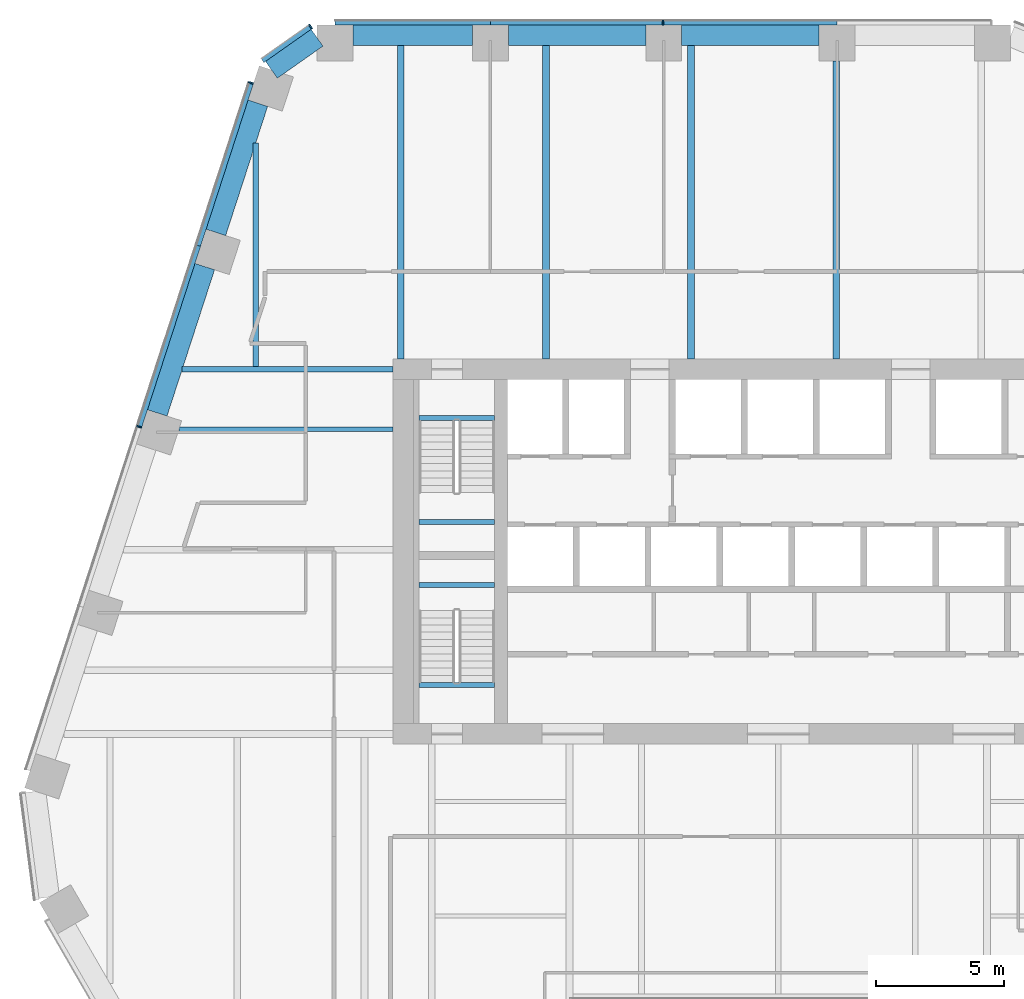
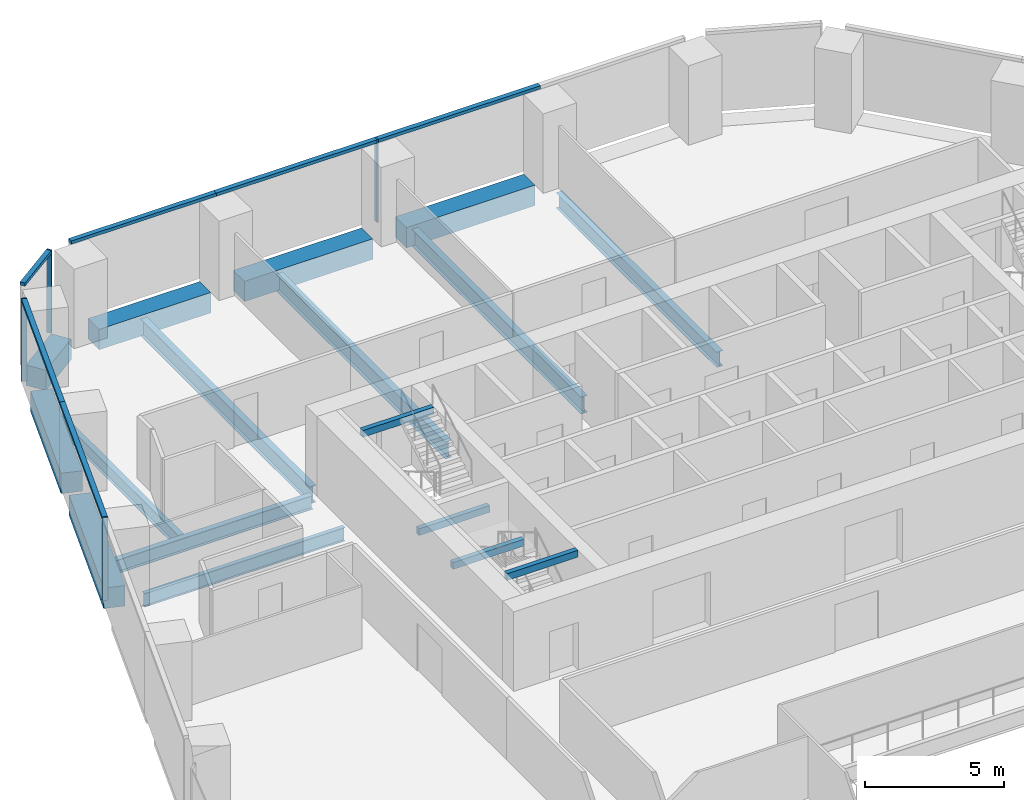
# One storey, part 7 of 16: 17 beams, 10 members, 3 elements without a shape of their own.
"""IFC4 building model written with IfcOpenShell, lengths in metres."""

import ifcopenshell
import ifcopenshell.guid

model = None  # the IFC model being written
_history = None  # IfcOwnerHistory: only IFC2X3 demands one
_inside = {}  # id of a spatial element -> (the spatial element, [elements in it])
_under = {}  # id of a project, library or spatial element -> (it, [spatial elements below it])
_declared = {}  # id of a project -> (the project, [libraries it declares])
_typed = {}  # id of a type object -> (the type object, [elements of that type])
_made_of = {}  # id of a material, layer set ... -> (it, [elements and type objects made of it])


def new_model(schema):
    """Start an empty IFC model of exactly this schema.

    Asked for "IFC4X3", IfcOpenShell would pick the latest addendum, in which some entities
    have other attributes; the version numbers below select the first issue.
    IFC2X3 requires an IfcOwnerHistory on every rooted entity: one is made here for all.
    """
    global model, _history
    if schema == "IFC4X3":
        model = ifcopenshell.file(schema_version=(4, 3, 0, 0))
    else:
        model = ifcopenshell.file(schema=schema)
    _inside.clear()
    _under.clear()
    _declared.clear()
    _typed.clear()
    _made_of.clear()
    _history = None
    if model.schema == "IFC2X3":
        org = make("IfcOrganization", Name="unknown")
        user = make(
            "IfcPersonAndOrganization",
            ThePerson=make("IfcPerson", FamilyName="unknown"),
            TheOrganization=org,
        )
        app = make(
            "IfcApplication",
            ApplicationDeveloper=org,
            Version="unknown",
            ApplicationFullName="unknown",
            ApplicationIdentifier="unknown",
        )
        _history = make(
            "IfcOwnerHistory",
            OwningUser=user,
            OwningApplication=app,
            ChangeAction="ADDED",
            CreationDate=0,
        )
    return model


def make(cls, **values):
    """One entity of the class cls with the attributes given. An attribute that is None is left unset."""
    return model.create_entity(
        cls, **{name: value for name, value in values.items() if value is not None}
    )


def rooted(cls, **values):
    """An entity with a GlobalId (a new one), such as an element, a storey or a relation."""
    return make(cls, GlobalId=ifcopenshell.guid.new(), OwnerHistory=_history, **values)


def si_unit(unit_type, name, prefix=None):
    """IfcSIUnit, for example si_unit("LENGTHUNIT", "METRE", prefix="MILLI")."""
    return make("IfcSIUnit", UnitType=unit_type, Prefix=prefix, Name=name)


def assignment(units):
    """IfcUnitAssignment: the units of a project."""
    return None if units is None else make("IfcUnitAssignment", Units=units)


def point(xyz):
    """IfcCartesianPoint."""
    return None if xyz is None else make("IfcCartesianPoint", Coordinates=xyz)


def direction(xyz):
    """IfcDirection."""
    return None if xyz is None else make("IfcDirection", DirectionRatios=xyz)


def frame(location, z_axis=None, x_axis=None):
    """IfcAxis2Placement3D, a coordinate frame: its origin and axes. An axis left out is left unset."""
    return make(
        "IfcAxis2Placement3D",
        Location=point(location),
        Axis=direction(z_axis),
        RefDirection=direction(x_axis),
    )


def frame_2d(location, x_axis=None):
    """IfcAxis2Placement2D, a coordinate frame in the plane: its origin and x axis."""
    return make(
        "IfcAxis2Placement2D", Location=point(location), RefDirection=direction(x_axis)
    )


def origin():
    """The frame at (0, 0, 0) with its axes left unset."""
    return frame((0.0, 0.0, 0.0))


def origin_2d():
    """The frame at (0, 0) in the plane with its x axis left unset."""
    return frame_2d((0.0, 0.0))


def place(relative_to, where):
    """IfcLocalPlacement: puts the frame where relative to a parent placement (None: the world)."""
    return make(
        "IfcLocalPlacement", PlacementRelTo=relative_to, RelativePlacement=where
    )


def context(
    kind, dimensions, precision=None, world=None, true_north=None, identifier=None
):
    """IfcGeometricRepresentationContext, for example the 3D "Model" context."""
    return make(
        "IfcGeometricRepresentationContext",
        ContextIdentifier=identifier,
        ContextType=kind,
        CoordinateSpaceDimension=dimensions,
        Precision=precision,
        WorldCoordinateSystem=world,
        TrueNorth=true_north,
    )


def subcontext(parent, identifier, kind, view, scale=None):
    """IfcGeometricRepresentationSubContext, for example "Body" below "Model"."""
    return make(
        "IfcGeometricRepresentationSubContext",
        ContextIdentifier=identifier,
        ContextType=kind,
        ParentContext=parent,
        TargetScale=scale,
        TargetView=view,
    )


def project(units=None, contexts=None):
    """IfcProject with its units and contexts."""
    return rooted(
        "IfcProject",
        Name="project",
        RepresentationContexts=contexts,
        UnitsInContext=assignment(units),
    )


def spatial(cls, under=None, at=None, **own):
    """A site, building, storey or space (cls), placed at a placement, below another one or the project."""
    s = rooted(cls, ObjectPlacement=at, **own)
    if under is not None:
        _under.setdefault(under.id(), (under, []))[1].append(s)
    return s


def profile(cls, at=None, kind="AREA", **sizes):
    """A parametric profile (cls). Its sizes go by their IFC names, for example OverallWidth=200.0."""
    return make(cls, ProfileType=kind, Position=at, **sizes)


def rectangle(**sizes):
    """IfcRectangleProfileDef."""
    return profile("IfcRectangleProfileDef", **sizes)


def i_section(**sizes):
    """IfcIShapeProfileDef."""
    return profile("IfcIShapeProfileDef", **sizes)


def extrude(swept, where, along, depth):
    """IfcExtrudedAreaSolid: the profile swept, set in the frame where, extruded along a direction by depth."""
    return make(
        "IfcExtrudedAreaSolid",
        SweptArea=swept,
        Position=where,
        ExtrudedDirection=direction(along),
        Depth=depth,
    )


def shape(context_of_items, identifier, shape_type, items):
    """IfcShapeRepresentation: the items that make up one representation, for example the "Body"."""
    return make(
        "IfcShapeRepresentation",
        ContextOfItems=context_of_items,
        RepresentationIdentifier=identifier,
        RepresentationType=shape_type,
        Items=items,
    )


def material(Name=None, Category=None):
    """IfcMaterial."""
    return make("IfcMaterial", Name=Name, Category=Category)


def layer(
    of_material, thickness, ventilated=None, Name=None, Category=None, Priority=None
):
    """IfcMaterialLayer: one layer of a wall or slab, of a material (None: an air gap)."""
    return make(
        "IfcMaterialLayer",
        Material=of_material,
        LayerThickness=thickness,
        IsVentilated=ventilated,
        Name=Name,
        Category=Category,
        Priority=Priority,
    )


def layer_set(layers, Name=None):
    """IfcMaterialLayerSet."""
    return make("IfcMaterialLayerSet", MaterialLayers=layers, LayerSetName=Name)


def material_profile(
    of_material, cross_section, Name=None, Category=None, Priority=None
):
    """IfcMaterialProfile: a cross section and its material."""
    return make(
        "IfcMaterialProfile",
        Name=Name,
        Material=of_material,
        Profile=cross_section,
        Priority=Priority,
        Category=Category,
    )


def profile_set(profiles, Name=None, composite=None):
    """IfcMaterialProfileSet."""
    return make(
        "IfcMaterialProfileSet",
        Name=Name,
        MaterialProfiles=profiles,
        CompositeProfile=composite,
    )


def made_of(thing, what):
    """Note that an element or type object is made of a material, layer set ...; save() writes the relation."""
    if what is not None:
        _made_of.setdefault(what.id(), (what, []))[1].append(thing)
    return thing


def type_object(cls, material=None, **own):
    """A type object (cls), such as IfcWallType, which elements share."""
    return made_of(rooted(cls, **own), material)


def element(
    cls,
    number,
    at=None,
    inside=None,
    cuts=None,
    type_object=None,
    material=None,
    context=None,
    identifier="Body",
    shape_type=None,
    held_by="IfcProductDefinitionShape",
    body=None,
    shapes=None,
    **own,
):
    """One element of the class cls, such as IfcWall. Its Tag is "e" and its number.

    at: its placement. inside: the storey or other place that contains it. cuts: it is an
    opening in that element (IfcRelVoidsElement). A single representation is given by context,
    identifier, shape_type and body (its items); several are given by shapes. held_by: the class
    of the entity that holds the representations. save() writes the other relations.
    """
    e = rooted(cls, Tag="e%d" % number, ObjectPlacement=at, **own)
    if body is not None:
        shapes = [shape(context, identifier, shape_type, body)]
    if shapes is not None:
        e.Representation = make(held_by, Representations=shapes)
    if inside is not None:
        _inside.setdefault(inside.id(), (inside, []))[1].append(e)
    if cuts is not None:
        rooted(
            "IfcRelVoidsElement", RelatingBuildingElement=cuts, RelatedOpeningElement=e
        )
    if type_object is not None:
        _typed.setdefault(type_object.id(), (type_object, []))[1].append(e)
    return made_of(e, material)


def aggregate(whole, parts):
    """IfcRelAggregates: a whole, such as a stair, and the parts it consists of."""
    return rooted("IfcRelAggregates", RelatingObject=whole, RelatedObjects=parts)


def save(model, path):
    """Write the relations noted so far, then the file.

    IfcRelAggregates (storeys below a building ...), IfcRelContainedInSpatialStructure (elements
    in a storey), IfcRelDefinesByType, IfcRelAssociatesMaterial and IfcRelDeclares: one each for
    every whole, place, type object, material and project.
    """
    for whole, parts in _under.values():
        aggregate(whole, parts)
    for where, things in _inside.values():
        rooted(
            "IfcRelContainedInSpatialStructure",
            RelatedElements=things,
            RelatingStructure=where,
        )
    for kind, things in _typed.values():
        rooted("IfcRelDefinesByType", RelatedObjects=things, RelatingType=kind)
    for what, things in _made_of.values():
        rooted("IfcRelAssociatesMaterial", RelatedObjects=things, RelatingMaterial=what)
    for by, libraries in _declared.values():
        rooted("IfcRelDeclares", RelatingContext=by, RelatedDefinitions=libraries)
    model.write(path)


model = new_model("IFC4")

# Units and contexts
model_context = context("Model", 3, precision=1e-05, world=origin(), true_north=direction((0.0, 1.0)))
body_context = subcontext(model_context, "Body", "Model", "MODEL_VIEW")
ifc_project = project(units=[si_unit("LENGTHUNIT", "METRE"), si_unit("AREAUNIT", "SQUARE_METRE"), si_unit("VOLUMEUNIT", "CUBIC_METRE"), si_unit("PLANEANGLEUNIT", "RADIAN"), si_unit("MASSUNIT", "GRAM", prefix="KILO")], contexts=[model_context])

# Site, building, storey
site_placement = place(None, origin())
site = spatial("IfcSite", under=ifc_project, at=site_placement, CompositionType="ELEMENT")
building_placement = place(site_placement, origin())
building = spatial("IfcBuilding", under=site, at=building_placement, Name="Isthmus Gate Tower", CompositionType="ELEMENT")
storey_placement = place(building_placement, frame((0.0, 0.0, 148.050048828125)))
storey = spatial("IfcBuildingStorey", under=building, at=storey_placement, Name="L36", CompositionType="ELEMENT", Elevation=148.050048828125)

# Curtain wall, member
ifc_material_1 = material(Name="Aluminium, pale champagne anodised", Category="aluminium")
ifc_layer = layer(ifc_material_1, 0.199951171875)
ifc_layer_set = layer_set([ifc_layer], Name="CW-1 UNITISED CURTAIN WALL 200 DEEP")
curtain_wall_type = type_object("IfcCurtainWallType", Name="CW-1 UNITISED CURTAIN WALL 200 DEEP", PredefinedType="NOTDEFINED", material=ifc_layer_set)
curtain_wall_1_placement = place(storey_placement, origin())
curtain_wall_1 = element("IfcCurtainWall", 1, at=curtain_wall_1_placement, inside=storey, type_object=curtain_wall_type, Name="CW-1 N L36", PredefinedType="NOTDEFINED")
ifc_material_2 = material(Name="Aluminium, pale champagne anodised", Category="aluminium")
ifc_material_profile_1 = material_profile(ifc_material_2, rectangle(XDim=0.06005859375, YDim=0.199951171875, at=origin_2d()), Name="60x200")
ifc_profile_set_1 = profile_set([ifc_material_profile_1], Name="Aluminium, pale champagne anodised")
member_type_1 = type_object("IfcMemberType", Name="CW-1 MULLION 60 X 200", PredefinedType="MULLION", material=ifc_profile_set_1)
member_1_placement = place(storey_placement, frame((-4.49169921875, 28.10009765625, 0.0), z_axis=(0.0, 0.0, 1.0), x_axis=(-1.0, 0.0, 0.0)))
member_1 = element("IfcMember", 2, at=member_1_placement, type_object=member_type_1, Name="CW-1 mullion", PredefinedType="MULLION", context=body_context, shape_type="SweptSolid", body=[
    extrude(rectangle(XDim=0.06005859375, YDim=0.199951171875, at=origin_2d()), origin(), (0.0, 0.0, 1.0), 3.64990234375),
])

curtain_wall_2_placement = place(storey_placement, origin())
curtain_wall_2 = element("IfcCurtainWall", 3, at=curtain_wall_2_placement, inside=storey, type_object=curtain_wall_type, Name="CW-1 N-NW L36", PredefinedType="NOTDEFINED")
member_2_placement = place(storey_placement, frame((-18.216552734375, 27.943115234375, 0.0), z_axis=(0.0, 0.0, 1.0), x_axis=(-0.81785959165, -0.57541783805, 0.0)))
member_2 = element("IfcMember", 4, at=member_2_placement, type_object=member_type_1, Name="CW-1 mullion", PredefinedType="MULLION", context=body_context, shape_type="SweptSolid", body=[
    extrude(rectangle(XDim=0.06005859375, YDim=0.199951171875, at=origin_2d()), origin(), (0.0, 0.0, 1.0), 3.64990234375),
])

# Curtain wall, members
curtain_wall_3_placement = place(storey_placement, origin())
curtain_wall_3 = element("IfcCurtainWall", 5, at=curtain_wall_3_placement, inside=storey, type_object=curtain_wall_type, Name="CW-1 NW L36", PredefinedType="NOTDEFINED")
member_3_placement = place(storey_placement, frame((-20.53564453125, 25.75146484375, 0.0), z_axis=(0.0, 0.0, 1.0), x_axis=(-0.309016994375, -0.951056516295, 0.0)))
member_3 = element("IfcMember", 6, at=member_3_placement, type_object=member_type_1, Name="CW-1 mullion", PredefinedType="MULLION", context=body_context, shape_type="SweptSolid", body=[
    extrude(rectangle(XDim=0.06005859375, YDim=0.199951171875, at=origin_2d()), origin(), (0.0, 0.0, 1.0), 3.64990234375),
])
member_4_placement = place(storey_placement, frame((-24.886962890625, 12.359130859375, 0.0), z_axis=(0.0, 0.0, 1.0), x_axis=(-0.309016994375, -0.951056516295, 0.0)))
member_4 = element("IfcMember", 7, at=member_4_placement, type_object=member_type_1, Name="CW-1 mullion", PredefinedType="MULLION", context=body_context, shape_type="SweptSolid", body=[
    extrude(rectangle(XDim=0.06005859375, YDim=0.199951171875, at=origin_2d()), origin(), (0.0, 0.0, 1.0), 3.64990234375),
])

# Member
ifc_material_3 = material(Name="Aluminium, pale champagne anodised", Category="aluminium")
ifc_material_profile_2 = material_profile(ifc_material_3, rectangle(XDim=0.199951171875, YDim=0.139892578125, at=origin_2d()), Name="200x140")
ifc_profile_set_2 = profile_set([ifc_material_profile_2], Name="Aluminium, pale champagne anodised")
member_type_2 = type_object("IfcMemberType", Name="CW-1 TRANSOM 200 X 140", PredefinedType="USERDEFINED", material=ifc_profile_set_2)
member_5_placement = place(storey_placement, frame((2.288330078125, 28.10009765625, 3.579833984375), z_axis=(-1.0, 0.0, 0.0), x_axis=(0.0, -1.0, 0.0)))
member_5 = element("IfcMember", 8, at=member_5_placement, type_object=member_type_2, Name="CW-1 transom", ObjectType="TRANSOM", PredefinedType="USERDEFINED", context=body_context, shape_type="SweptSolid", body=[
    extrude(rectangle(XDim=0.199951171875, YDim=0.139892578125, at=origin_2d()), origin(), (0.0, 0.0, 1.0), 6.75),
])

member_6_placement = place(storey_placement, frame((-4.521728515625, 28.10009765625, 3.579833984375), z_axis=(-1.0, 0.0, 0.0), x_axis=(0.0, -1.0, 0.0)))
member_6 = element("IfcMember", 9, at=member_6_placement, type_object=member_type_2, Name="CW-1 transom", ObjectType="TRANSOM", PredefinedType="USERDEFINED", context=body_context, shape_type="SweptSolid", body=[
    extrude(rectangle(XDim=0.199951171875, YDim=0.139892578125, at=origin_2d()), origin(), (0.0, 0.0, 1.0), 6.690185546875),
])

member_7_placement = place(storey_placement, frame((-11.2119140625, 28.10009765625, 3.579833984375), z_axis=(-1.0, 0.0, 0.0), x_axis=(0.0, -1.0, 0.0)))
member_7 = element("IfcMember", 10, at=member_7_placement, type_object=member_type_2, Name="CW-1 transom", ObjectType="TRANSOM", PredefinedType="USERDEFINED", context=body_context, shape_type="SweptSolid", body=[
    extrude(rectangle(XDim=0.199951171875, YDim=0.139892578125, at=origin_2d()), origin(), (0.0, 0.0, 1.0), 6.050048828125),
])

aggregate(curtain_wall_1, [member_5, member_1, member_6, member_7])

member_8_placement = place(storey_placement, frame((-18.2412109375, 27.92578125, 3.579833984375), z_axis=(-0.817868595604, -0.575405040233, 0.0), x_axis=(0.575405040233, -0.817868595604, 0.0)))
member_8 = element("IfcMember", 11, at=member_8_placement, type_object=member_type_2, Name="CW-1 transom", ObjectType="TRANSOM", PredefinedType="USERDEFINED", context=body_context, shape_type="SweptSolid", body=[
    extrude(rectangle(XDim=0.199951171875, YDim=0.139892578125, at=origin_2d()), origin(), (0.0, 0.0, 1.0), 2.258544921875),
])

aggregate(curtain_wall_2, [member_2, member_8])

member_9_placement = place(storey_placement, frame((-20.544921875, 25.72314453125, 3.579833984375), z_axis=(-0.30898366881, -0.951067343782, 0.0), x_axis=(0.951067343782, -0.30898366881, 0.0)))
member_9 = element("IfcMember", 12, at=member_9_placement, type_object=member_type_2, Name="CW-1 transom", ObjectType="TRANSOM", PredefinedType="USERDEFINED", context=body_context, shape_type="SweptSolid", body=[
    extrude(rectangle(XDim=0.199951171875, YDim=0.139892578125, at=origin_2d()), origin(), (0.0, 0.0, 1.0), 6.630859375),
])

member_10_placement = place(storey_placement, frame((-22.59375, 19.416748046875, 3.579833984375), z_axis=(-0.309024076379, -0.951054215183, 0.0), x_axis=(0.951054215183, -0.309024076379, 0.0)))
member_10 = element("IfcMember", 13, at=member_10_placement, type_object=member_type_2, Name="CW-1 transom", ObjectType="TRANSOM", PredefinedType="USERDEFINED", context=body_context, shape_type="SweptSolid", body=[
    extrude(rectangle(XDim=0.199951171875, YDim=0.139892578125, at=origin_2d()), origin(), (0.0, 0.0, 1.0), 7.390869140625),
])

aggregate(curtain_wall_3, [member_3, member_9, member_10, member_4])

# Beams
ifc_material_4 = material(Name="Concrete f'c 60 MPa", Category="concrete")
ifc_material_profile_3 = material_profile(ifc_material_4, rectangle(XDim=0.800048828125, YDim=0.89990234375, at=origin_2d()), Name="RC 800X900")
ifc_profile_set_3 = profile_set([ifc_material_profile_3], Name="Concrete f'c 60 MPa")
beam_type_1 = type_object("IfcBeamType", Name="RC SPANDREL 800 X 900", PredefinedType="SPANDREL", material=ifc_profile_set_3)
beam_1_placement = place(storey_placement, frame((-24.185791015625, 12.89892578125, -0.449951171875), z_axis=(0.308992998998, 0.951064312531, 0.0), x_axis=(-0.951064312531, 0.308992998998, 0.0)))
element("IfcBeam", 14, at=beam_1_placement, inside=storey, type_object=beam_type_1, Name="str-spandrel-L36-23", PredefinedType="SPANDREL", context=body_context, shape_type="SweptSolid", body=[
    extrude(rectangle(XDim=0.800048828125, YDim=0.89990234375, at=origin_2d()), origin(), (0.0, 0.0, 1.0), 5.99072265625),
])
beam_2_placement = place(storey_placement, frame((-21.902099609375, 19.927978515625, -0.449951171875), z_axis=(0.309020339202, 0.951055429489, 0.0), x_axis=(-0.951055429489, 0.309020339202, 0.0)))
element("IfcBeam", 15, at=beam_2_placement, inside=storey, type_object=beam_type_1, Name="str-spandrel-L36-24", PredefinedType="SPANDREL", context=body_context, shape_type="SweptSolid", body=[
    extrude(rectangle(XDim=0.800048828125, YDim=0.89990234375, at=origin_2d()), origin(), (0.0, 0.0, 1.0), 5.291015625),
])
beam_3_placement = place(storey_placement, frame((-19.7392578125, 26.260498046875, -0.449951171875), z_axis=(0.817857331203, 0.575421050882, 0.0), x_axis=(-0.575421050882, 0.817857331203, 0.0)))
element("IfcBeam", 16, at=beam_3_placement, inside=storey, type_object=beam_type_1, Name="str-spandrel-L36-25", PredefinedType="SPANDREL", context=body_context, shape_type="SweptSolid", body=[
    extrude(rectangle(XDim=0.800048828125, YDim=0.89990234375, at=origin_2d()), origin(), (0.0, 0.0, 1.0), 2.173095703125),
])
beam_4_placement = place(storey_placement, frame((-16.56201171875, 27.60009765625, -0.449951171875), z_axis=(1.0, 0.0, 0.0), x_axis=(0.0, 1.0, 0.0)))
element("IfcBeam", 17, at=beam_4_placement, inside=storey, type_object=beam_type_1, Name="str-spandrel-L36-26", PredefinedType="SPANDREL", context=body_context, shape_type="SweptSolid", body=[
    extrude(rectangle(XDim=0.800048828125, YDim=0.89990234375, at=origin_2d()), origin(), (0.0, 0.0, 1.0), 4.650146484375),
])
for number, where, z_axis, x_axis, name in (
    (18, (-10.51171875, 27.60009765625, -0.449951171875), (1.0, 0.0, 0.0), (0.0, 1.0, 0.0), "str-spandrel-L36-27"),
    (19, (-3.76171875, 27.60009765625, -0.449951171875), (1.0, 0.0, 0.0), (0.0, 1.0, 0.0), "str-spandrel-L36-28"),
):
    element("IfcBeam", number, at=place(storey_placement, frame(where, z_axis=z_axis, x_axis=x_axis)), inside=storey, type_object=beam_type_1, Name=name, PredefinedType="SPANDREL", context=body_context, shape_type="SweptSolid", body=[
        extrude(rectangle(XDim=0.800048828125, YDim=0.89990234375, at=origin_2d()), origin(), (0.0, 0.0, 1.0), 5.35009765625),
    ])
ifc_material_5 = material(Name="Concrete f'c 40 MPa", Category="concrete")
ifc_material_profile_4 = material_profile(ifc_material_5, rectangle(XDim=0.199951171875, YDim=0.300048828125, at=origin_2d()), Name="STAIR LANDING BEAM RC 200 X 300")
ifc_profile_set_4 = profile_set([ifc_material_profile_4], Name="Concrete f'c 40 MPa")
beam_type_2 = type_object("IfcBeamType", Name="STAIR LANDING BEAM RC 200 X 300", PredefinedType="BEAM", material=ifc_profile_set_4)
for number, where, z_axis, x_axis, name in (
    (20, (-14.0, 8.64990234375, 1.474853515625), (1.0, 0.0, 0.0), (0.0, 1.0, 0.0), "L36 ST1 landing beam 1"),
    (21, (-14.0, 12.7001953125, 3.349853515625), (1.0, 0.0, 0.0), (0.0, 1.0, 0.0), "L36 ST1 floor-edge seat beam"),
    (22, (-14.0, 6.199951171875, 1.474853515625), (1.0, 0.0, 0.0), (0.0, 1.0, 0.0), "L36 ST7 landing beam 1"),
    (23, (-14.0, 2.2998046875, 3.349853515625), (1.0, 0.0, 0.0), (0.0, 1.0, 0.0), "L36 ST7 floor-edge seat beam"),
):
    element("IfcBeam", number, at=place(storey_placement, frame(where, z_axis=z_axis, x_axis=x_axis)), inside=storey, type_object=beam_type_2, Name=name, PredefinedType="BEAM", context=body_context, shape_type="SweptSolid", body=[
        extrude(rectangle(XDim=0.199951171875, YDim=0.300048828125, at=origin_2d()), origin(), (0.0, 0.0, 1.0), 2.949951171875),
    ])
ifc_material_6 = material(Name="Structural steel ASTM A992 Gr 50", Category="steel")
ifc_material_profile_5 = material_profile(ifc_material_6, i_section(OverallWidth=0.177734375, OverallDepth=0.60009765625, WebThickness=0.009521484375, FlangeThickness=0.0126953125, at=origin_2d()), Name="W24X55")
ifc_profile_set_5 = profile_set([ifc_material_profile_5], Name="Structural steel ASTM A992 Gr 50")
beam_type_3 = type_object("IfcBeamType", Name="STEEL FLOOR BEAM W24X55", PredefinedType="JOIST", material=ifc_profile_set_5)
beam_5_placement = place(storey_placement, frame((-23.343505859375, 12.25537109375, -0.4501953125), z_axis=(1.0, 0.0, 0.0), x_axis=(0.0, 1.0, 0.0)))
element("IfcBeam", 24, at=beam_5_placement, inside=storey, type_object=beam_type_3, Name="str-beam-L36-01-02", PredefinedType="JOIST", context=body_context, shape_type="SweptSolid", body=[
    extrude(i_section(OverallWidth=0.177734375, OverallDepth=0.60009765625, WebThickness=0.009521484375, FlangeThickness=0.0126953125, at=origin_2d()), origin(), (0.0, 0.0, 1.0), 8.343505859375),
])
ifc_material_7 = material(Name="Structural steel ASTM A992 Gr 50", Category="steel")
ifc_material_profile_6 = material_profile(ifc_material_7, i_section(OverallWidth=0.228515625, OverallDepth=0.603271484375, WebThickness=0.010986328125, FlangeThickness=0.014404296875, at=origin_2d()), Name="W24X68")
ifc_profile_set_6 = profile_set([ifc_material_profile_6], Name="Structural steel ASTM A992 Gr 50")
beam_type_4 = type_object("IfcBeamType", Name="STEEL FLOOR BEAM W24X68", PredefinedType="JOIST", material=ifc_profile_set_6)
beam_6_placement = place(storey_placement, frame((-20.35009765625, 14.71435546875, -0.45166015625), z_axis=(0.0, 1.0, 0.0), x_axis=(-1.0, 0.0, 0.0)))
element("IfcBeam", 25, at=beam_6_placement, inside=storey, type_object=beam_type_4, Name="str-beam-L36-05-00", PredefinedType="JOIST", context=body_context, shape_type="SweptSolid", body=[
    extrude(i_section(OverallWidth=0.228515625, OverallDepth=0.603271484375, WebThickness=0.010986328125, FlangeThickness=0.014404296875, at=origin_2d()), origin(), (0.0, 0.0, 1.0), 8.6953125),
])
ifc_material_8 = material(Name="Structural steel ASTM A992 Gr 50", Category="steel")
ifc_material_profile_7 = material_profile(ifc_material_8, i_section(OverallWidth=0.25390625, OverallDepth=0.679443359375, WebThickness=0.010986328125, FlangeThickness=0.015869140625, at=origin_2d()), Name="W27X84")
ifc_profile_set_7 = profile_set([ifc_material_profile_7], Name="Structural steel ASTM A992 Gr 50")
beam_type_5 = type_object("IfcBeamType", Name="STEEL FLOOR BEAM W27X84", PredefinedType="JOIST", material=ifc_profile_set_7)
beam_7_placement = place(storey_placement, frame((2.25244140625, 15.0, -0.48974609375), z_axis=(0.0, 1.0, 0.0), x_axis=(-1.0, 0.0, 0.0)))
element("IfcBeam", 26, at=beam_7_placement, inside=storey, type_object=beam_type_5, Name="str-beam-L36-05-04", PredefinedType="JOIST", context=body_context, shape_type="SweptSolid", body=[
    extrude(i_section(OverallWidth=0.25390625, OverallDepth=0.679443359375, WebThickness=0.010986328125, FlangeThickness=0.015869140625, at=origin_2d()), origin(), (0.0, 0.0, 1.0), 11.60009765625),
])
ifc_material_9 = material(Name="Structural steel ASTM A992 Gr 50", Category="steel")
ifc_material_profile_8 = material_profile(ifc_material_9, i_section(OverallWidth=0.263427734375, OverallDepth=0.749267578125, WebThickness=0.0126953125, FlangeThickness=0.015869140625, at=origin_2d()), Name="W30X90")
ifc_profile_set_8 = profile_set([ifc_material_profile_8], Name="Structural steel ASTM A992 Gr 50")
beam_type_6 = type_object("IfcBeamType", Name="STEEL FLOOR BEAM W30X90", PredefinedType="JOIST", material=ifc_profile_set_8)
for number, where, z_axis, x_axis, name in (
    (27, (-14.699462890625, 15.0, -0.524658203125), (0.0, 1.0, 0.0), (-1.0, 0.0, 0.0), "str-beam-L36-05-01"),
    (28, (-9.048828125, 15.0, -0.524658203125), (0.0, 1.0, 0.0), (-1.0, 0.0, 0.0), "str-beam-L36-05-02"),
    (29, (-3.398193359375, 15.0, -0.524658203125), (0.0, 1.0, 0.0), (-1.0, 0.0, 0.0), "str-beam-L36-05-03"),
):
    element("IfcBeam", number, at=place(storey_placement, frame(where, z_axis=z_axis, x_axis=x_axis)), inside=storey, type_object=beam_type_6, Name=name, PredefinedType="JOIST", context=body_context, shape_type="SweptSolid", body=[
        extrude(i_section(OverallWidth=0.263427734375, OverallDepth=0.749267578125, WebThickness=0.0126953125, FlangeThickness=0.015869140625, at=origin_2d()), origin(), (0.0, 0.0, 1.0), 12.199951171875),
    ])
ifc_material_10 = material(Name="Structural steel ASTM A992 Gr 50", Category="steel")
ifc_material_profile_9 = material_profile(ifc_material_10, i_section(OverallWidth=0.228515625, OverallDepth=0.6064453125, WebThickness=0.010986328125, FlangeThickness=0.017578125, at=origin_2d()), Name="W24X76")
ifc_profile_set_9 = profile_set([ifc_material_profile_9], Name="Structural steel ASTM A992 Gr 50")
beam_type_7 = type_object("IfcBeamType", Name="STEEL GIRDER W24X76", PredefinedType="BEAM", material=ifc_profile_set_9)
beam_8_placement = place(storey_placement, frame((-15.0, 14.60009765625, -0.453369140625), z_axis=(-1.0, 0.0, 0.0), x_axis=(0.0, -1.0, 0.0)))
element("IfcBeam", 30, at=beam_8_placement, inside=storey, type_object=beam_type_7, Name="str-girder-L36-15", PredefinedType="BEAM", context=body_context, shape_type="SweptSolid", body=[
    extrude(i_section(OverallWidth=0.228515625, OverallDepth=0.6064453125, WebThickness=0.010986328125, FlangeThickness=0.017578125, at=origin_2d()), origin(), (0.0, 0.0, 1.0), 8.212646484375),
])

save(model, "model.ifc")
